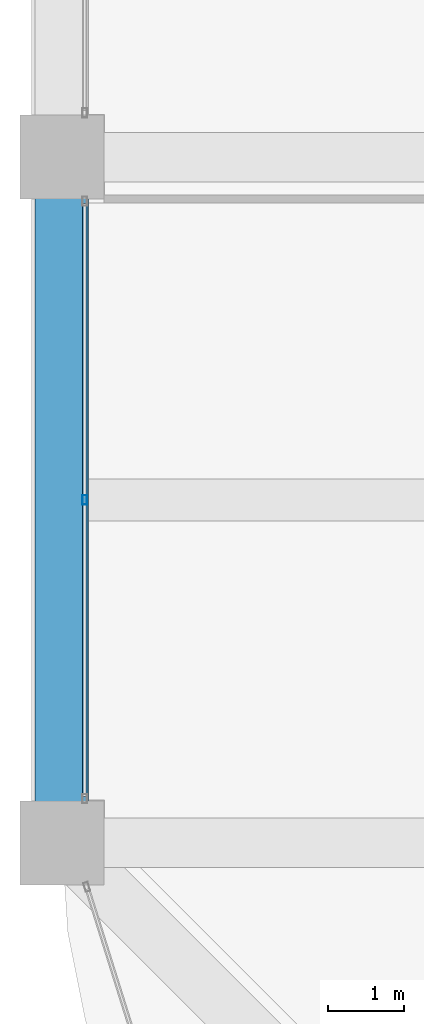
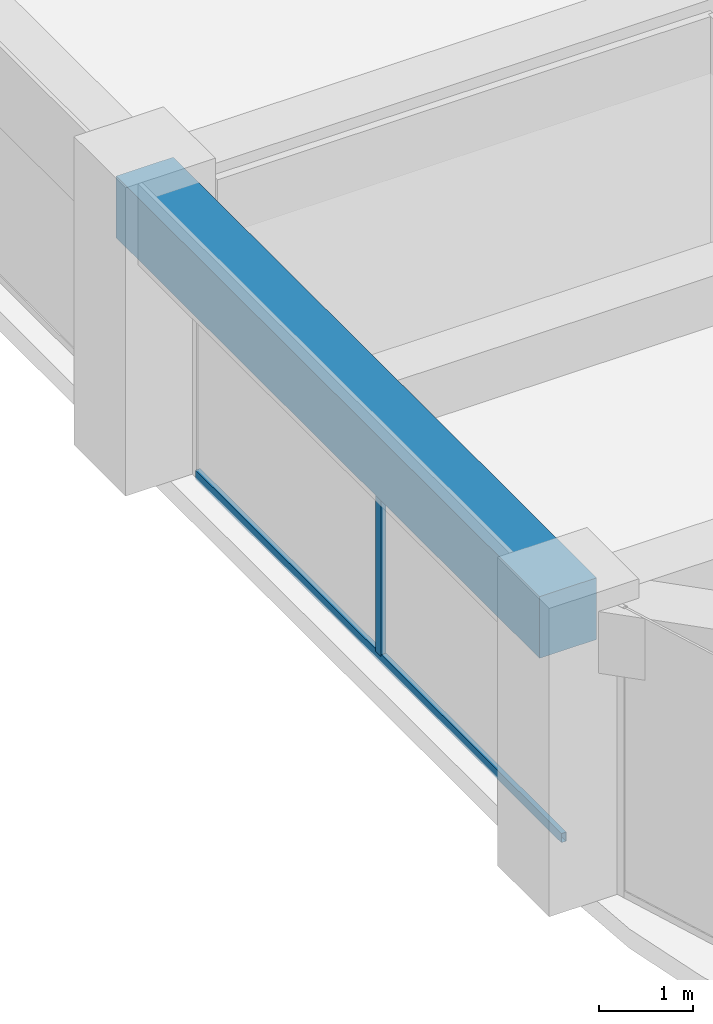
# One storey, part 7 of 44: 2 members, 1 beam, 1 element without a shape of its own.
"""IFC4 building model written with IfcOpenShell, lengths in metres."""

import ifcopenshell
import ifcopenshell.guid

model = None  # the IFC model being written
_history = None  # IfcOwnerHistory: only IFC2X3 demands one
_inside = {}  # id of a spatial element -> (the spatial element, [elements in it])
_under = {}  # id of a project, library or spatial element -> (it, [spatial elements below it])
_declared = {}  # id of a project -> (the project, [libraries it declares])
_typed = {}  # id of a type object -> (the type object, [elements of that type])
_made_of = {}  # id of a material, layer set ... -> (it, [elements and type objects made of it])


def new_model(schema):
    """Start an empty IFC model of exactly this schema.

    Asked for "IFC4X3", IfcOpenShell would pick the latest addendum, in which some entities
    have other attributes; the version numbers below select the first issue.
    IFC2X3 requires an IfcOwnerHistory on every rooted entity: one is made here for all.
    """
    global model, _history
    if schema == "IFC4X3":
        model = ifcopenshell.file(schema_version=(4, 3, 0, 0))
    else:
        model = ifcopenshell.file(schema=schema)
    _inside.clear()
    _under.clear()
    _declared.clear()
    _typed.clear()
    _made_of.clear()
    _history = None
    if model.schema == "IFC2X3":
        org = make("IfcOrganization", Name="unknown")
        user = make(
            "IfcPersonAndOrganization",
            ThePerson=make("IfcPerson", FamilyName="unknown"),
            TheOrganization=org,
        )
        app = make(
            "IfcApplication",
            ApplicationDeveloper=org,
            Version="unknown",
            ApplicationFullName="unknown",
            ApplicationIdentifier="unknown",
        )
        _history = make(
            "IfcOwnerHistory",
            OwningUser=user,
            OwningApplication=app,
            ChangeAction="ADDED",
            CreationDate=0,
        )
    return model


def make(cls, **values):
    """One entity of the class cls with the attributes given. An attribute that is None is left unset."""
    return model.create_entity(
        cls, **{name: value for name, value in values.items() if value is not None}
    )


def rooted(cls, **values):
    """An entity with a GlobalId (a new one), such as an element, a storey or a relation."""
    return make(cls, GlobalId=ifcopenshell.guid.new(), OwnerHistory=_history, **values)


def si_unit(unit_type, name, prefix=None):
    """IfcSIUnit, for example si_unit("LENGTHUNIT", "METRE", prefix="MILLI")."""
    return make("IfcSIUnit", UnitType=unit_type, Prefix=prefix, Name=name)


def assignment(units):
    """IfcUnitAssignment: the units of a project."""
    return None if units is None else make("IfcUnitAssignment", Units=units)


def point(xyz):
    """IfcCartesianPoint."""
    return None if xyz is None else make("IfcCartesianPoint", Coordinates=xyz)


def direction(xyz):
    """IfcDirection."""
    return None if xyz is None else make("IfcDirection", DirectionRatios=xyz)


def frame(location, z_axis=None, x_axis=None):
    """IfcAxis2Placement3D, a coordinate frame: its origin and axes. An axis left out is left unset."""
    return make(
        "IfcAxis2Placement3D",
        Location=point(location),
        Axis=direction(z_axis),
        RefDirection=direction(x_axis),
    )


def frame_2d(location, x_axis=None):
    """IfcAxis2Placement2D, a coordinate frame in the plane: its origin and x axis."""
    return make(
        "IfcAxis2Placement2D", Location=point(location), RefDirection=direction(x_axis)
    )


def origin():
    """The frame at (0, 0, 0) with its axes left unset."""
    return frame((0.0, 0.0, 0.0))


def origin_2d():
    """The frame at (0, 0) in the plane with its x axis left unset."""
    return frame_2d((0.0, 0.0))


def place(relative_to, where):
    """IfcLocalPlacement: puts the frame where relative to a parent placement (None: the world)."""
    return make(
        "IfcLocalPlacement", PlacementRelTo=relative_to, RelativePlacement=where
    )


def context(
    kind, dimensions, precision=None, world=None, true_north=None, identifier=None
):
    """IfcGeometricRepresentationContext, for example the 3D "Model" context."""
    return make(
        "IfcGeometricRepresentationContext",
        ContextIdentifier=identifier,
        ContextType=kind,
        CoordinateSpaceDimension=dimensions,
        Precision=precision,
        WorldCoordinateSystem=world,
        TrueNorth=true_north,
    )


def subcontext(parent, identifier, kind, view, scale=None):
    """IfcGeometricRepresentationSubContext, for example "Body" below "Model"."""
    return make(
        "IfcGeometricRepresentationSubContext",
        ContextIdentifier=identifier,
        ContextType=kind,
        ParentContext=parent,
        TargetScale=scale,
        TargetView=view,
    )


def project(units=None, contexts=None):
    """IfcProject with its units and contexts."""
    return rooted(
        "IfcProject",
        Name="project",
        RepresentationContexts=contexts,
        UnitsInContext=assignment(units),
    )


def spatial(cls, under=None, at=None, **own):
    """A site, building, storey or space (cls), placed at a placement, below another one or the project."""
    s = rooted(cls, ObjectPlacement=at, **own)
    if under is not None:
        _under.setdefault(under.id(), (under, []))[1].append(s)
    return s


def profile(cls, at=None, kind="AREA", **sizes):
    """A parametric profile (cls). Its sizes go by their IFC names, for example OverallWidth=200.0."""
    return make(cls, ProfileType=kind, Position=at, **sizes)


def rectangle(**sizes):
    """IfcRectangleProfileDef."""
    return profile("IfcRectangleProfileDef", **sizes)


def hollow_rectangle(**sizes):
    """IfcRectangleHollowProfileDef."""
    return profile("IfcRectangleHollowProfileDef", **sizes)


def extrude(swept, where, along, depth):
    """IfcExtrudedAreaSolid: the profile swept, set in the frame where, extruded along a direction by depth."""
    return make(
        "IfcExtrudedAreaSolid",
        SweptArea=swept,
        Position=where,
        ExtrudedDirection=direction(along),
        Depth=depth,
    )


def shape(context_of_items, identifier, shape_type, items):
    """IfcShapeRepresentation: the items that make up one representation, for example the "Body"."""
    return make(
        "IfcShapeRepresentation",
        ContextOfItems=context_of_items,
        RepresentationIdentifier=identifier,
        RepresentationType=shape_type,
        Items=items,
    )


def material(Name=None, Category=None):
    """IfcMaterial."""
    return make("IfcMaterial", Name=Name, Category=Category)


def material_profile(
    of_material, cross_section, Name=None, Category=None, Priority=None
):
    """IfcMaterialProfile: a cross section and its material."""
    return make(
        "IfcMaterialProfile",
        Name=Name,
        Material=of_material,
        Profile=cross_section,
        Priority=Priority,
        Category=Category,
    )


def profile_set(profiles, Name=None, composite=None):
    """IfcMaterialProfileSet."""
    return make(
        "IfcMaterialProfileSet",
        Name=Name,
        MaterialProfiles=profiles,
        CompositeProfile=composite,
    )


def made_of(thing, what):
    """Note that an element or type object is made of a material, layer set ...; save() writes the relation."""
    if what is not None:
        _made_of.setdefault(what.id(), (what, []))[1].append(thing)
    return thing


def type_object(cls, material=None, **own):
    """A type object (cls), such as IfcWallType, which elements share."""
    return made_of(rooted(cls, **own), material)


def element(
    cls,
    number,
    at=None,
    inside=None,
    cuts=None,
    type_object=None,
    material=None,
    context=None,
    identifier="Body",
    shape_type=None,
    held_by="IfcProductDefinitionShape",
    body=None,
    shapes=None,
    **own,
):
    """One element of the class cls, such as IfcWall. Its Tag is "e" and its number.

    at: its placement. inside: the storey or other place that contains it. cuts: it is an
    opening in that element (IfcRelVoidsElement). A single representation is given by context,
    identifier, shape_type and body (its items); several are given by shapes. held_by: the class
    of the entity that holds the representations. save() writes the other relations.
    """
    e = rooted(cls, Tag="e%d" % number, ObjectPlacement=at, **own)
    if body is not None:
        shapes = [shape(context, identifier, shape_type, body)]
    if shapes is not None:
        e.Representation = make(held_by, Representations=shapes)
    if inside is not None:
        _inside.setdefault(inside.id(), (inside, []))[1].append(e)
    if cuts is not None:
        rooted(
            "IfcRelVoidsElement", RelatingBuildingElement=cuts, RelatedOpeningElement=e
        )
    if type_object is not None:
        _typed.setdefault(type_object.id(), (type_object, []))[1].append(e)
    return made_of(e, material)


def aggregate(whole, parts):
    """IfcRelAggregates: a whole, such as a stair, and the parts it consists of."""
    return rooted("IfcRelAggregates", RelatingObject=whole, RelatedObjects=parts)


def save(model, path):
    """Write the relations noted so far, then the file.

    IfcRelAggregates (storeys below a building ...), IfcRelContainedInSpatialStructure (elements
    in a storey), IfcRelDefinesByType, IfcRelAssociatesMaterial and IfcRelDeclares: one each for
    every whole, place, type object, material and project.
    """
    for whole, parts in _under.values():
        aggregate(whole, parts)
    for where, things in _inside.values():
        rooted(
            "IfcRelContainedInSpatialStructure",
            RelatedElements=things,
            RelatingStructure=where,
        )
    for kind, things in _typed.values():
        rooted("IfcRelDefinesByType", RelatedObjects=things, RelatingType=kind)
    for what, things in _made_of.values():
        rooted("IfcRelAssociatesMaterial", RelatedObjects=things, RelatingMaterial=what)
    for by, libraries in _declared.values():
        rooted("IfcRelDeclares", RelatingContext=by, RelatedDefinitions=libraries)
    model.write(path)


model = new_model("IFC4")

# Units and contexts
model_context = context("Model", 3, precision=1e-05, world=origin(), true_north=direction((0.0, 1.0)))
body_context = subcontext(model_context, "Body", "Model", "MODEL_VIEW")
ifc_project = project(units=[si_unit("LENGTHUNIT", "METRE"), si_unit("AREAUNIT", "SQUARE_METRE"), si_unit("VOLUMEUNIT", "CUBIC_METRE"), si_unit("PLANEANGLEUNIT", "RADIAN"), si_unit("MASSUNIT", "GRAM", prefix="KILO")], contexts=[model_context])

# Site, building, storey
site_placement = place(None, origin())
site = spatial("IfcSite", under=ifc_project, at=site_placement, CompositionType="ELEMENT")
building_placement = place(site_placement, origin())
building = spatial("IfcBuilding", under=site, at=building_placement, Name="Zorevar Civic Tower", CompositionType="ELEMENT")
storey_placement = place(building_placement, frame((0.0, 0.0, 255.39990234375)))
storey = spatial("IfcBuildingStorey", under=building, at=storey_placement, Name="L62", CompositionType="ELEMENT", Elevation=255.39990234375)

# Curtain wall, members
ifc_material_1 = material(Name="Dark grey solar-control glass in black aluminium frame", Category="aluminium")
curtain_wall_type = type_object("IfcCurtainWallType", Name="Curtain wall CW5 top zone", PredefinedType="NOTDEFINED", material=ifc_material_1)
curtain_wall_placement = place(storey_placement, origin())
curtain_wall = element("IfcCurtainWall", 1, at=curtain_wall_placement, inside=storey, type_object=curtain_wall_type, Name="CW5 L62", PredefinedType="NOTDEFINED")
ifc_material_2 = material(Name="Aluminium, black anodised", Category="aluminium")
ifc_material_profile_1 = material_profile(ifc_material_2, hollow_rectangle(XDim=0.06005859375, YDim=0.1201171875, WallThickness=0.0029296875, at=origin_2d()), Name="AL 120x60x3")
ifc_profile_set_1 = profile_set([ifc_material_profile_1], Name="Aluminium, black anodised")
member_type_1 = type_object("IfcMemberType", Name="CW5 mullion AL 120x60x3", PredefinedType="MULLION", material=ifc_profile_set_1)
member_1_placement = place(storey_placement, frame((9.300048828125, 13.5, 0.06005859375), z_axis=(0.0, 0.0, 1.0), x_axis=(-1.0, 0.0, 0.0)))
member_1 = element("IfcMember", 2, at=member_1_placement, type_object=member_type_1, Name="CW5 mullion 2", PredefinedType="MULLION", context=body_context, shape_type="SweptSolid", body=[
    extrude(hollow_rectangle(XDim=0.06005859375, YDim=0.1201171875, WallThickness=0.0029296875, at=origin_2d()), origin(), (0.0, 0.0, 1.0), 2.89013671875),
])
ifc_material_3 = material(Name="Aluminium, black anodised", Category="aluminium")
ifc_material_profile_2 = material_profile(ifc_material_3, hollow_rectangle(XDim=0.06005859375, YDim=0.1201171875, WallThickness=0.0029296875, at=origin_2d()), Name="AL 120x60x3")
ifc_profile_set_2 = profile_set([ifc_material_profile_2], Name="Aluminium, black anodised")
member_type_2 = type_object("IfcMemberType", Name="CW5 transom AL 120x60x3", PredefinedType="USERDEFINED", material=ifc_profile_set_2)
member_2_placement = place(storey_placement, frame((9.300048828125, 9.610107421875, 0.030029296875), z_axis=(0.0, 1.0, 0.0), x_axis=(-1.0, 0.0, 0.0)))
member_2 = element("IfcMember", 3, at=member_2_placement, type_object=member_type_2, Name="CW5 sill transom", ObjectType="TRANSOM", PredefinedType="USERDEFINED", context=body_context, shape_type="SweptSolid", body=[
    extrude(hollow_rectangle(XDim=0.06005859375, YDim=0.1201171875, WallThickness=0.0029296875, at=origin_2d()), origin(), (0.0, 0.0, 1.0), 7.77978515625),
])
aggregate(curtain_wall, [member_1, member_2])

# Beam
ifc_material_4 = material(Name="Concrete C50/60", Category="concrete")
ifc_material_profile_3 = material_profile(ifc_material_4, rectangle(XDim=0.699951171875, YDim=0.800048828125, at=origin_2d()), Name="RC 700x800")
ifc_profile_set_3 = profile_set([ifc_material_profile_3], Name="Concrete C50/60")
beam_type = type_object("IfcBeamType", Name="Edge beam RC 700x800", PredefinedType="SPANDREL", material=ifc_profile_set_3)
beam_placement = place(storey_placement, frame((9.0, 9.0, 3.35009765625), z_axis=(0.0, 1.0, 0.0), x_axis=(-1.0, 0.0, 0.0)))
element("IfcBeam", 4, at=beam_placement, inside=storey, type_object=beam_type, Name="Edge beam L63", PredefinedType="SPANDREL", context=body_context, shape_type="SweptSolid", body=[
    extrude(rectangle(XDim=0.699951171875, YDim=0.800048828125, at=origin_2d()), origin(), (0.0, 0.0, 1.0), 9.0),
])

save(model, "model.ifc")
